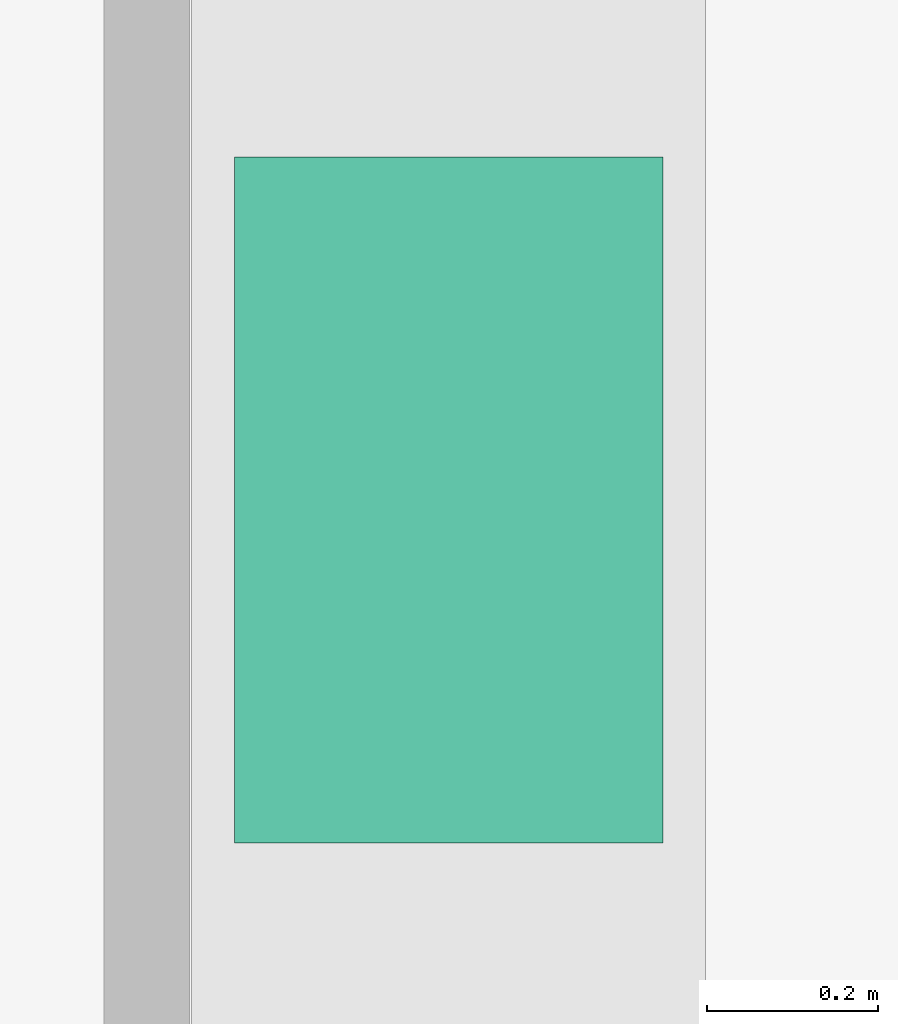
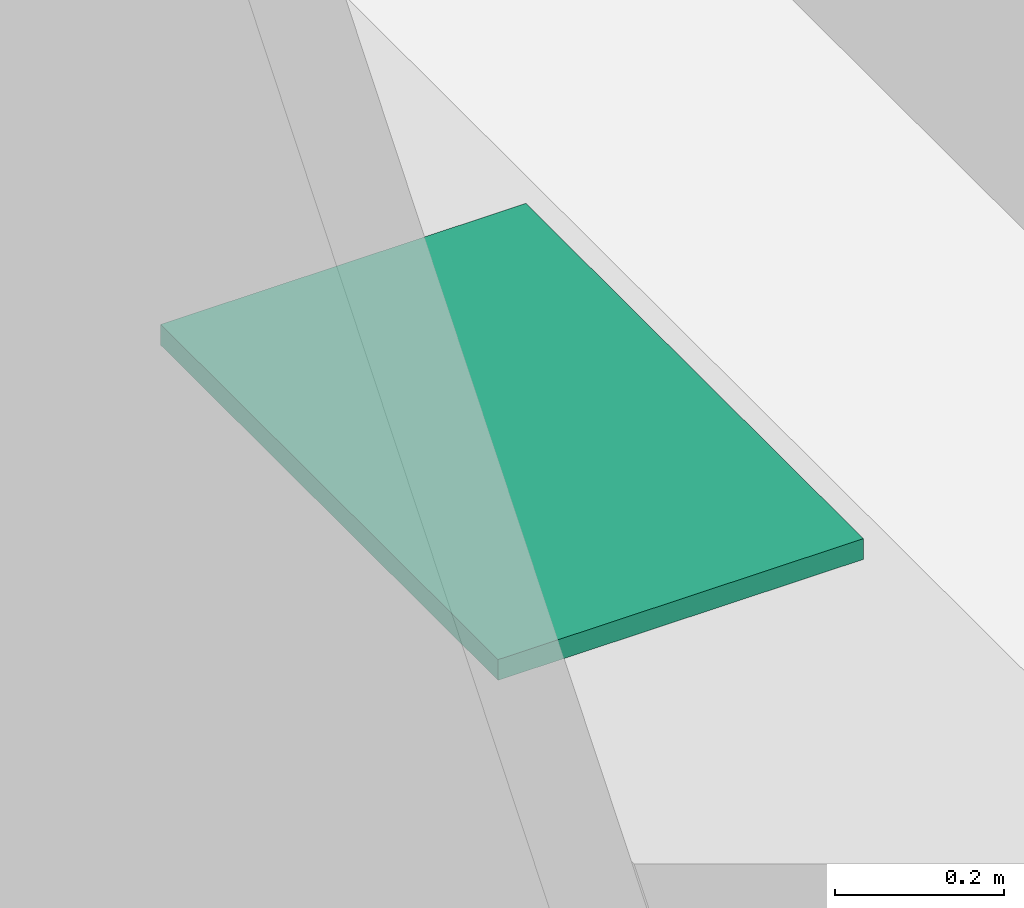
# One storey, part 17 of 18: 1 sanitary terminal.
"""IFC4 building model written with IfcOpenShell, lengths in metres."""

from ifc_helpers import new_model, si_unit, direction, frame, origin, origin_2d, place, context, subcontext, project, spatial, rectangle, extrude, material, type_object, element, save


model = new_model("IFC4")

# Units and contexts
model_context = context("Model", 3, precision=1e-05, world=origin(), true_north=direction((0.0, 1.0)))
body_context = subcontext(model_context, "Body", "Model", "MODEL_VIEW")
ifc_project = project(units=[si_unit("LENGTHUNIT", "METRE"), si_unit("AREAUNIT", "SQUARE_METRE"), si_unit("VOLUMEUNIT", "CUBIC_METRE"), si_unit("PLANEANGLEUNIT", "RADIAN"), si_unit("MASSUNIT", "GRAM", prefix="KILO")], contexts=[model_context])

# Site, building, storey
site_placement = place(None, origin())
site = spatial("IfcSite", under=ifc_project, at=site_placement, CompositionType="ELEMENT")
building_placement = place(site_placement, origin())
building = spatial("IfcBuilding", under=site, at=building_placement, Name="Kvirike Care Tower", CompositionType="ELEMENT")
storey_placement = place(building_placement, frame((0.0, 0.0, 79.5)))
storey = spatial("IfcBuildingStorey", under=building, at=storey_placement, Name="L21", CompositionType="ELEMENT", Elevation=79.5)

# Sanitary terminal
ifc_material = material(Name="Stainless steel", Category="steel")
sanitary_terminal_type = type_object("IfcSanitaryTerminalType", Name="KITCHEN SINK 800 x 500", PredefinedType="SINK", material=ifc_material)
sanitary_terminal_placement = place(storey_placement, frame((16.052001953125, 39.60009765625, 0.89990234375), z_axis=(0.0, 0.0, 1.0), x_axis=(0.0, 1.0, 0.0)))
element("IfcSanitaryTerminal", 1, at=sanitary_terminal_placement, inside=storey, type_object=sanitary_terminal_type, Name="Kitchen sink L21-023", PredefinedType="SINK", context=body_context, shape_type="SweptSolid", body=[
    extrude(rectangle(XDim=0.800048828125, YDim=0.5, at=origin_2d()), origin(), (0.0, 0.0, 1.0), 0.030029296875),
])

save(model, "model.ifc")
